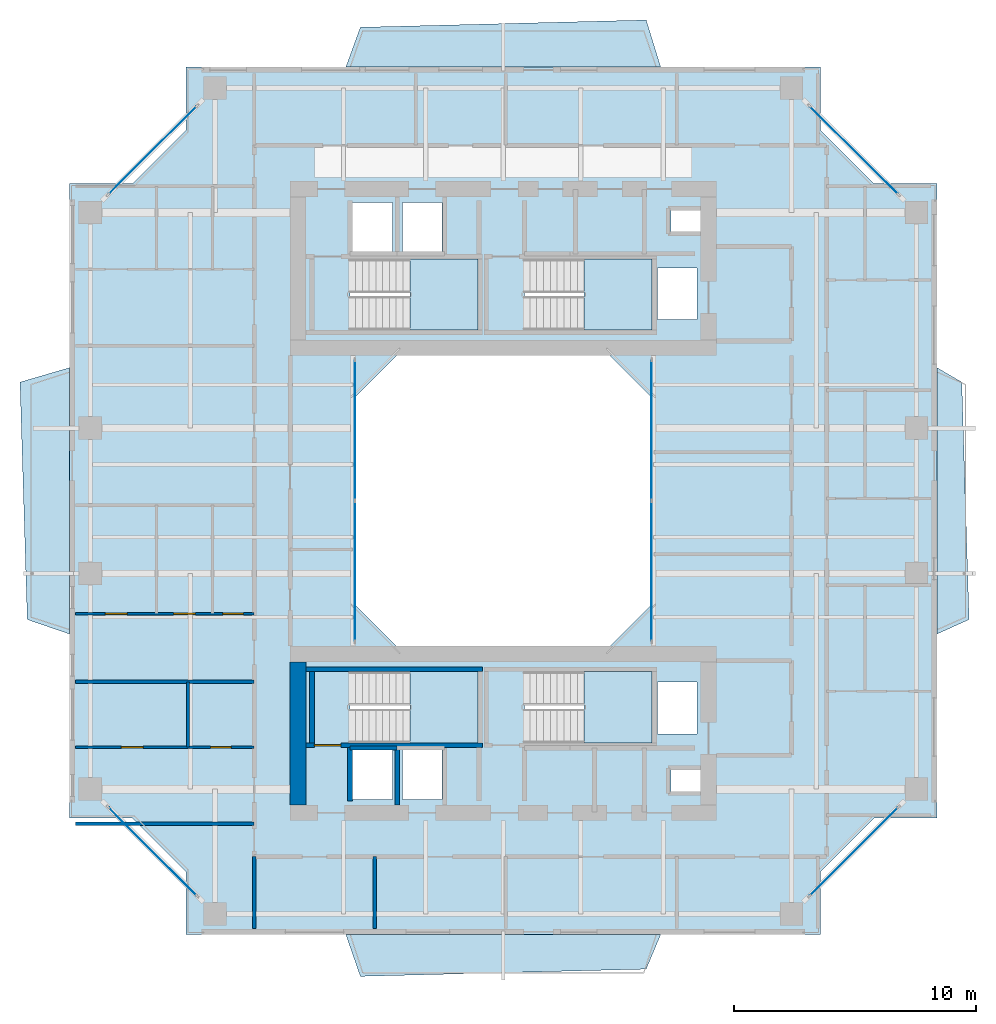
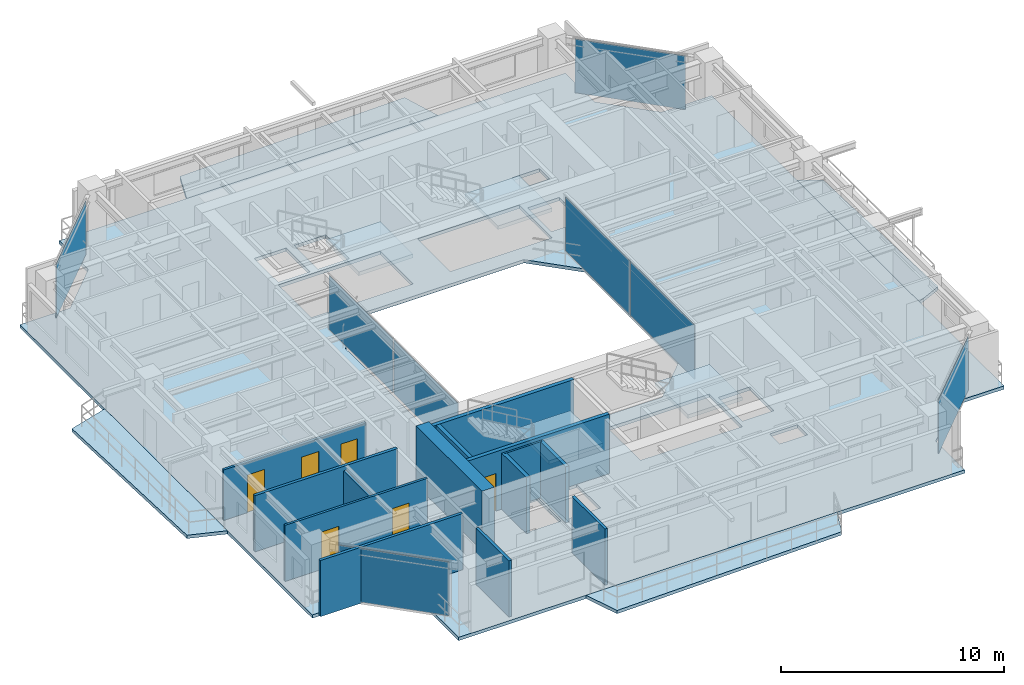
# One storey, part 10 of 18: 14 walls, 9 slabs, 8 plates, 6 doors, 6 openings, 10 elements without a shape of their own.
"""IFC4 building model written with IfcOpenShell, lengths in metres."""

from ifc_helpers import new_model, si_unit, direction, frame, frame_2d, origin, origin_2d, place, context, subcontext, project, spatial, polyline, rectangle, outline, extrude, source, transform, mapped, material, layer, layer_set, type_object, element, fill, aggregate, save


model = new_model("IFC4")

# Units and contexts
model_context = context("Model", 3, precision=1e-05, world=origin(), true_north=direction((0.0, 1.0)))
body_context = subcontext(model_context, "Body", "Model", "MODEL_VIEW")
ifc_project = project(units=[si_unit("LENGTHUNIT", "METRE"), si_unit("AREAUNIT", "SQUARE_METRE"), si_unit("VOLUMEUNIT", "CUBIC_METRE"), si_unit("PLANEANGLEUNIT", "RADIAN"), si_unit("MASSUNIT", "GRAM", prefix="KILO"), si_unit("THERMODYNAMICTEMPERATUREUNIT", "KELVIN"), si_unit("POWERUNIT", "WATT")], contexts=[model_context])

# Site, building, storey
site_placement = place(None, origin())
site = spatial("IfcSite", under=ifc_project, at=site_placement, CompositionType="ELEMENT")
building_placement = place(site_placement, origin())
building = spatial("IfcBuilding", under=site, at=building_placement, Name="Qiaomeng Ring Towers", CompositionType="ELEMENT")
storey_placement = place(building_placement, frame((0.0, 0.0, 179.5)))
storey = spatial("IfcBuildingStorey", under=building, at=storey_placement, Name="L52", CompositionType="ELEMENT", Elevation=179.5)

# Slabs
ifc_material_1 = material(Name="Concrete C40", Category="concrete")
ifc_layer_1 = layer(ifc_material_1, 0.179931640625, Name="Concrete C40")
ifc_layer_set_1 = layer_set([ifc_layer_1], Name="Concrete C40")
slab_type_1 = type_object("IfcSlabType", Name="STR-SL-180", PredefinedType="FLOOR", material=ifc_layer_set_1)
slab_1_placement = place(storey_placement, frame((0.0, 0.0, -0.179931640625)))
element("IfcSlab", 1, at=slab_1_placement, inside=storey, type_object=slab_type_1, Name="L52 Tower 1 Annular Floor Slab", PredefinedType="FLOOR", context=body_context, shape_type="SweptSolid", body=[
    extrude(outline(polyline([(5.89990234375, 5.10009765625), (32.10009765625, 5.10009765625), (32.10009765625, 7.699951171875), (34.300048828125, 9.89990234375), (36.89990234375, 9.89990234375), (36.89990234375, 36.10009765625), (34.300048828125, 36.10009765625), (32.10009765625, 38.300048828125), (32.10009765625, 40.89990234375), (5.89990234375, 40.89990234375), (5.89990234375, 38.300048828125), (3.699951171875, 36.10009765625), (1.10009765625, 36.10009765625), (1.10009765625, 9.89990234375), (3.699951171875, 9.89990234375), (5.89990234375, 7.699951171875), (5.89990234375, 5.10009765625)]), holes=[polyline([(12.780029296875, 10.679931640625), (12.780029296875, 12.820068359375), (14.419921875, 12.820068359375), (14.419921875, 10.679931640625), (12.780029296875, 10.679931640625)]), polyline([(14.830078125, 12.820068359375), (16.469970703125, 12.820068359375), (16.469970703125, 10.679931640625), (14.830078125, 10.679931640625), (14.830078125, 12.820068359375)]), polyline([(12.679931640625, 15.949951171875), (17.949951171875, 15.949951171875), (17.949951171875, 13.010009765625), (12.679931640625, 13.010009765625), (12.679931640625, 15.949951171875)]), polyline([(23.199951171875, 29.199951171875), (25.199951171875, 27.199951171875), (25.199951171875, 18.800048828125), (23.199951171875, 16.800048828125), (14.800048828125, 16.800048828125), (12.800048828125, 18.800048828125), (12.800048828125, 27.199951171875), (14.800048828125, 29.199951171875), (23.199951171875, 29.199951171875)]), polyline([(12.679931640625, 32.989990234375), (17.949951171875, 32.989990234375), (17.949951171875, 30.050048828125), (12.679931640625, 30.050048828125), (12.679931640625, 32.989990234375)]), polyline([(12.780029296875, 35.320068359375), (14.419921875, 35.320068359375), (14.419921875, 33.179931640625), (12.780029296875, 33.179931640625), (12.780029296875, 35.320068359375)]), polyline([(14.830078125, 33.179931640625), (14.830078125, 35.320068359375), (16.469970703125, 35.320068359375), (16.469970703125, 33.179931640625), (14.830078125, 33.179931640625)]), polyline([(25.919921875, 11.89990234375), (27.360107421875, 11.89990234375), (27.360107421875, 11.0), (25.919921875, 11.0), (25.919921875, 11.89990234375)]), polyline([(25.360107421875, 15.52001953125), (27.0, 15.52001953125), (27.0, 13.3798828125), (25.360107421875, 13.3798828125), (25.360107421875, 15.52001953125)]), polyline([(19.8798828125, 15.949951171875), (25.14990234375, 15.949951171875), (25.14990234375, 13.010009765625), (19.8798828125, 13.010009765625), (19.8798828125, 15.949951171875)]), polyline([(19.8798828125, 32.989990234375), (25.14990234375, 32.989990234375), (25.14990234375, 30.050048828125), (19.8798828125, 30.050048828125), (19.8798828125, 32.989990234375)]), polyline([(25.360107421875, 32.6201171875), (27.0, 32.6201171875), (27.0, 30.47998046875), (25.360107421875, 30.47998046875), (25.360107421875, 32.6201171875)]), polyline([(25.919921875, 35.0), (27.360107421875, 35.0), (27.360107421875, 34.10009765625), (25.919921875, 34.10009765625), (25.919921875, 35.0)])]), origin(), (0.0, 0.0, 1.0), 0.179931640625),
])
ifc_layer_2 = layer(ifc_material_1, 0.179931640625, Name="Concrete C40")
ifc_layer_set_2 = layer_set([ifc_layer_2], Name="Concrete C40")
slab_type_2 = type_object("IfcSlabType", Name="STR-SL-BAL", PredefinedType="FLOOR", material=ifc_layer_set_2)
slab_2_placement = place(storey_placement, frame((0.0, 0.0, -0.179931640625)))
element("IfcSlab", 2, at=slab_2_placement, inside=storey, type_object=slab_type_2, Name="L52 Tower 1 S Faceted Balcony Slab", PredefinedType="FLOOR", context=body_context, shape_type="SweptSolid", body=[
    extrude(outline(polyline([(24.89990234375, 3.669921875), (13.10009765625, 3.3701171875), (12.5, 5.10009765625), (25.5, 5.10009765625), (24.89990234375, 3.669921875)])), origin(), (0.0, 0.0, 1.0), 0.179931640625),
])
slab_3_placement = place(storey_placement, frame((0.0, 0.0, -0.179931640625)))
element("IfcSlab", 3, at=slab_3_placement, inside=storey, type_object=slab_type_2, Name="L52 Tower 1 E Faceted Balcony Slab", PredefinedType="FLOOR", context=body_context, shape_type="SweptSolid", body=[
    extrude(outline(polyline([(37.929931640625, 27.89990234375), (38.22998046875, 18.10009765625), (36.89990234375, 17.5), (36.89990234375, 28.5), (37.929931640625, 27.89990234375)])), origin(), (0.0, 0.0, 1.0), 0.179931640625),
])
slab_4_placement = place(storey_placement, frame((0.0, 0.0, -0.179931640625)))
element("IfcSlab", 4, at=slab_4_placement, inside=storey, type_object=slab_type_2, Name="L52 Tower 1 N Faceted Balcony Slab", PredefinedType="FLOOR", context=body_context, shape_type="SweptSolid", body=[
    extrude(outline(polyline([(12.5, 40.89990234375), (13.10009765625, 42.550048828125), (24.89990234375, 42.85009765625), (25.5, 40.89990234375), (12.5, 40.89990234375)])), origin(), (0.0, 0.0, 1.0), 0.179931640625),
])
slab_5_placement = place(storey_placement, frame((0.0, 0.0, -0.179931640625)))
element("IfcSlab", 5, at=slab_5_placement, inside=storey, type_object=slab_type_2, Name="L52 Tower 1 W Faceted Balcony Slab", PredefinedType="FLOOR", context=body_context, shape_type="SweptSolid", body=[
    extrude(outline(polyline([(-0.64990234375, 18.10009765625), (-0.949951171875, 27.89990234375), (1.10009765625, 28.5), (1.10009765625, 17.5), (-0.64990234375, 18.10009765625)])), origin(), (0.0, 0.0, 1.0), 0.179931640625),
])

# Stair, slab
ifc_material_2 = material(Name="Precast concrete C40", Category="concrete")
stair_type = type_object("IfcStairType", Name="ARC-ST-325", PredefinedType="HALF_TURN_STAIR", material=ifc_material_2)
stair_1_placement = place(storey_placement, origin())
stair_1 = element("IfcStair", 6, at=stair_1_placement, inside=storey, type_object=stair_type, Name="L52 Tower 1 North Stair 1", PredefinedType="HALF_TURN_STAIR")
ifc_layer_3 = layer(ifc_material_1, 0.199951171875, Name="Concrete C40")
ifc_layer_set_3 = layer_set([ifc_layer_3], Name="Concrete C40")
slab_type_3 = type_object("IfcSlabType", Name="STR-SL-LANDING", PredefinedType="LANDING", material=ifc_layer_set_3)
slab_6_placement = place(storey_placement, frame((0.0, 0.0, 1.425048828125)))
slab_6 = element("IfcSlab", 7, at=slab_6_placement, type_object=slab_type_3, Name="ST1 landing 1", PredefinedType="LANDING", context=body_context, shape_type="SweptSolid", body=[
    extrude(outline(polyline([(15.139892578125, 30.050048828125), (17.949951171875, 30.050048828125), (17.949951171875, 32.989990234375), (15.139892578125, 32.989990234375), (15.139892578125, 30.050048828125)])), origin(), (0.0, 0.0, 1.0), 0.199951171875),
])
aggregate(stair_1, [slab_6])

stair_2_placement = place(storey_placement, origin())
stair_2 = element("IfcStair", 8, at=stair_2_placement, inside=storey, type_object=stair_type, Name="L52 Tower 1 North Stair 2", PredefinedType="HALF_TURN_STAIR")
slab_7_placement = place(storey_placement, frame((0.0, 0.0, 1.425048828125)))
slab_7 = element("IfcSlab", 9, at=slab_7_placement, type_object=slab_type_3, Name="ST2 landing 1", PredefinedType="LANDING", context=body_context, shape_type="SweptSolid", body=[
    extrude(outline(polyline([(22.340087890625, 30.050048828125), (25.14990234375, 30.050048828125), (25.14990234375, 32.989990234375), (22.340087890625, 32.989990234375), (22.340087890625, 30.050048828125)])), origin(), (0.0, 0.0, 1.0), 0.199951171875),
])
aggregate(stair_2, [slab_7])

stair_3_placement = place(storey_placement, origin())
stair_3 = element("IfcStair", 10, at=stair_3_placement, inside=storey, type_object=stair_type, Name="L52 Tower 1 South Stair 3", PredefinedType="HALF_TURN_STAIR")
slab_8_placement = place(storey_placement, frame((0.0, 0.0, 1.425048828125)))
slab_8 = element("IfcSlab", 11, at=slab_8_placement, type_object=slab_type_3, Name="ST3 landing 1", PredefinedType="LANDING", context=body_context, shape_type="SweptSolid", body=[
    extrude(outline(polyline([(15.139892578125, 13.010009765625), (17.949951171875, 13.010009765625), (17.949951171875, 15.949951171875), (15.139892578125, 15.949951171875), (15.139892578125, 13.010009765625)])), origin(), (0.0, 0.0, 1.0), 0.199951171875),
])
aggregate(stair_3, [slab_8])

stair_4_placement = place(storey_placement, origin())
stair_4 = element("IfcStair", 12, at=stair_4_placement, inside=storey, type_object=stair_type, Name="L52 Tower 1 South Stair 4", PredefinedType="HALF_TURN_STAIR")
slab_9_placement = place(storey_placement, frame((0.0, 0.0, 1.425048828125)))
slab_9 = element("IfcSlab", 13, at=slab_9_placement, type_object=slab_type_3, Name="ST4 landing 1", PredefinedType="LANDING", context=body_context, shape_type="SweptSolid", body=[
    extrude(outline(polyline([(22.340087890625, 13.010009765625), (25.14990234375, 13.010009765625), (25.14990234375, 15.949951171875), (22.340087890625, 15.949951171875), (22.340087890625, 13.010009765625)])), origin(), (0.0, 0.0, 1.0), 0.199951171875),
])
aggregate(stair_4, [slab_9])

# Curtain wall, plates
ifc_material_3 = material(Name="Fluorocarbon dark-grey aluminium", Category="aluminium")
ifc_layer_4 = layer(ifc_material_3, 0.139892578125, Name="Fluorocarbon dark-grey aluminium")
ifc_layer_set_4 = layer_set([ifc_layer_4], Name="Fluorocarbon dark-grey aluminium")
curtain_wall_type_1 = type_object("IfcCurtainWallType", Name="ARC-CW-4", PredefinedType="NOTDEFINED", material=ifc_layer_set_4)
curtain_wall_1_placement = place(storey_placement, origin())
curtain_wall_1 = element("IfcCurtainWall", 14, at=curtain_wall_1_placement, inside=storey, type_object=curtain_wall_type_1, Name="L52 Curtain Wall CW4", PredefinedType="NOTDEFINED")
ifc_material_4 = material(Name="Low-E dark-grey laminated double glazing", Category="glass")
ifc_layer_5 = layer(ifc_material_4, 0.028076171875, Name="Low-E dark-grey laminated double glazing")
ifc_layer_set_5 = layer_set([ifc_layer_5], Name="Low-E dark-grey laminated double glazing")
plate_type = type_object("IfcPlateType", Name="ARC-CWP-DARK", PredefinedType="CURTAIN_PANEL", material=ifc_layer_set_5)
shared_shape_1 = source(origin(), body_context, "Body", "SweptSolid", [
    extrude(rectangle(XDim=5.75244140625, YDim=0.028076171875, at=origin_2d()), origin(), (0.0, 0.0, 1.0), 2.93994140625),
])
plate_1_placement = place(storey_placement, frame((12.8798828125, 20.09130859375, 0.06494140625), z_axis=(0.0, 0.0, 1.0), x_axis=(0.0, 1.0, 0.0)))
plate_1 = element("IfcPlate", 15, at=plate_1_placement, type_object=plate_type, Name="CW4 panel 1.1", PredefinedType="CURTAIN_PANEL", context=body_context, shape_type="MappedRepresentation", body=[
    mapped(shared_shape_1, transform((0.0, 0.0, 0.0), x_axis=(1.0, 0.0, 0.0), y_axis=(0.0, 1.0, 0.0), z_axis=(0.0, 0.0, 1.0), scale=1.0)),
])
plate_2_placement = place(storey_placement, frame((12.8798828125, 25.90869140625, 0.06494140625), z_axis=(0.0, 0.0, 1.0), x_axis=(0.0, 1.0, 0.0)))
plate_2 = element("IfcPlate", 16, at=plate_2_placement, type_object=plate_type, Name="CW4 panel 2.1", PredefinedType="CURTAIN_PANEL", context=body_context, shape_type="MappedRepresentation", body=[
    mapped(shared_shape_1, transform((0.0, 0.0, 0.0), x_axis=(1.0, 0.0, 0.0), y_axis=(0.0, 1.0, 0.0), z_axis=(0.0, 0.0, 1.0), scale=1.0)),
])
aggregate(curtain_wall_1, [plate_1, plate_2])

curtain_wall_2_placement = place(storey_placement, origin())
curtain_wall_2 = element("IfcCurtainWall", 17, at=curtain_wall_2_placement, inside=storey, type_object=curtain_wall_type_1, Name="L52 Curtain Wall CW4", PredefinedType="NOTDEFINED")
plate_3_placement = place(storey_placement, frame((25.1201171875, 20.09130859375, 0.06494140625), z_axis=(0.0, 0.0, 1.0), x_axis=(0.0, 1.0, 0.0)))
plate_3 = element("IfcPlate", 18, at=plate_3_placement, type_object=plate_type, Name="CW4 panel 1.1", PredefinedType="CURTAIN_PANEL", context=body_context, shape_type="MappedRepresentation", body=[
    mapped(shared_shape_1, transform((0.0, 0.0, 0.0), x_axis=(1.0, 0.0, 0.0), y_axis=(0.0, 1.0, 0.0), z_axis=(0.0, 0.0, 1.0), scale=1.0)),
])
plate_4_placement = place(storey_placement, frame((25.1201171875, 25.90869140625, 0.06494140625), z_axis=(0.0, 0.0, 1.0), x_axis=(0.0, 1.0, 0.0)))
plate_4 = element("IfcPlate", 19, at=plate_4_placement, type_object=plate_type, Name="CW4 panel 2.1", PredefinedType="CURTAIN_PANEL", context=body_context, shape_type="MappedRepresentation", body=[
    mapped(shared_shape_1, transform((0.0, 0.0, 0.0), x_axis=(1.0, 0.0, 0.0), y_axis=(0.0, 1.0, 0.0), z_axis=(0.0, 0.0, 1.0), scale=1.0)),
])
aggregate(curtain_wall_2, [plate_3, plate_4])

# Curtain wall, plate
ifc_layer_6 = layer(ifc_material_3, 0.14990234375, Name="Fluorocarbon dark-grey aluminium")
ifc_layer_set_6 = layer_set([ifc_layer_6], Name="Fluorocarbon dark-grey aluminium")
curtain_wall_type_2 = type_object("IfcCurtainWallType", Name="ARC-CW-3", PredefinedType="NOTDEFINED", material=ifc_layer_set_6)
curtain_wall_3_placement = place(storey_placement, origin())
curtain_wall_3 = element("IfcCurtainWall", 20, at=curtain_wall_3_placement, inside=storey, type_object=curtain_wall_type_2, Name="L52 Curtain Wall CW3", PredefinedType="NOTDEFINED")
shared_shape_2 = source(origin(), body_context, "Body", "SweptSolid", [
    extrude(rectangle(XDim=5.120849609375, YDim=0.028076171875, at=origin_2d()), origin(), (0.0, 0.0, 1.0), 2.93994140625),
])
plate_5_placement = place(storey_placement, frame((33.47509765625, 8.52490234375, 0.06494140625), z_axis=(0.0, 0.0, 1.0), x_axis=(0.707106781187, 0.707106781187, 0.0)))
plate_5 = element("IfcPlate", 21, at=plate_5_placement, type_object=plate_type, Name="CW3 panel 1.1", PredefinedType="CURTAIN_PANEL", context=body_context, shape_type="MappedRepresentation", body=[
    mapped(shared_shape_2, transform((0.0, 0.0, 0.0), x_axis=(1.0, 0.0, 0.0), y_axis=(0.0, 1.0, 0.0), z_axis=(0.0, 0.0, 1.0), scale=1.0)),
])
aggregate(curtain_wall_3, [plate_5])

curtain_wall_4_placement = place(storey_placement, origin())
curtain_wall_4 = element("IfcCurtainWall", 22, at=curtain_wall_4_placement, inside=storey, type_object=curtain_wall_type_2, Name="L52 Curtain Wall CW3", PredefinedType="NOTDEFINED")
plate_6_placement = place(storey_placement, frame((33.47509765625, 37.47509765625, 0.06494140625), z_axis=(0.0, 0.0, 1.0), x_axis=(-0.707106781187, 0.707106781187, 0.0)))
plate_6 = element("IfcPlate", 23, at=plate_6_placement, type_object=plate_type, Name="CW3 panel 1.1", PredefinedType="CURTAIN_PANEL", context=body_context, shape_type="MappedRepresentation", body=[
    mapped(shared_shape_2, transform((0.0, 0.0, 0.0), x_axis=(1.0, 0.0, 0.0), y_axis=(0.0, 1.0, 0.0), z_axis=(0.0, 0.0, 1.0), scale=1.0)),
])
aggregate(curtain_wall_4, [plate_6])

curtain_wall_5_placement = place(storey_placement, origin())
curtain_wall_5 = element("IfcCurtainWall", 24, at=curtain_wall_5_placement, inside=storey, type_object=curtain_wall_type_2, Name="L52 Curtain Wall CW3", PredefinedType="NOTDEFINED")
plate_7_placement = place(storey_placement, frame((4.52490234375, 37.47509765625, 0.06494140625), z_axis=(0.0, 0.0, 1.0), x_axis=(-0.707106781187, -0.707106781187, 0.0)))
plate_7 = element("IfcPlate", 25, at=plate_7_placement, type_object=plate_type, Name="CW3 panel 1.1", PredefinedType="CURTAIN_PANEL", context=body_context, shape_type="MappedRepresentation", body=[
    mapped(shared_shape_2, transform((0.0, 0.0, 0.0), x_axis=(1.0, 0.0, 0.0), y_axis=(0.0, 1.0, 0.0), z_axis=(0.0, 0.0, 1.0), scale=1.0)),
])
aggregate(curtain_wall_5, [plate_7])

curtain_wall_6_placement = place(storey_placement, origin())
curtain_wall_6 = element("IfcCurtainWall", 26, at=curtain_wall_6_placement, inside=storey, type_object=curtain_wall_type_2, Name="L52 Curtain Wall CW3", PredefinedType="NOTDEFINED")
plate_8_placement = place(storey_placement, frame((4.52490234375, 8.52490234375, 0.06494140625), z_axis=(0.0, 0.0, 1.0), x_axis=(0.707106781187, -0.707106781187, 0.0)))
plate_8 = element("IfcPlate", 27, at=plate_8_placement, type_object=plate_type, Name="CW3 panel 1.1", PredefinedType="CURTAIN_PANEL", context=body_context, shape_type="MappedRepresentation", body=[
    mapped(shared_shape_2, transform((0.0, 0.0, 0.0), x_axis=(1.0, 0.0, 0.0), y_axis=(0.0, 1.0, 0.0), z_axis=(0.0, 0.0, 1.0), scale=1.0)),
])
aggregate(curtain_wall_6, [plate_8])

# Walls
ifc_material_5 = material(Name="Autoclaved aerated concrete block", Category="concrete")
ifc_layer_7 = layer(ifc_material_5, 0.199951171875, Name="Autoclaved aerated concrete block")
ifc_layer_set_7 = layer_set([ifc_layer_7], Name="Autoclaved aerated concrete block")
wall_type_1 = type_object("IfcWallType", Name="ARC-WL-PW1", PredefinedType="PARTITIONING", material=ifc_layer_set_7)
wall_1_placement = place(storey_placement, frame((12.679931640625, 10.60009765625, 0.0), z_axis=(0.0, 0.0, 1.0), x_axis=(0.0, 1.0, 0.0)))
element("IfcWall", 28, at=wall_1_placement, inside=storey, type_object=wall_type_1, Name="L52 Interior Wall PW1", PredefinedType="PARTITIONING", context=body_context, shape_type="SweptSolid", body=[
    extrude(rectangle(XDim=2.2099609375, YDim=0.199951171875, at=frame_2d((1.10498046875, 0.0))), origin(), (0.0, 0.0, 1.0), 3.070068359375),
])
ifc_material_6 = material(Name="Gypsum fireboard steel-stud partition", Category="steel")
ifc_layer_8 = layer(ifc_material_6, 0.14990234375, Name="Gypsum fireboard steel-stud partition")
ifc_layer_set_8 = layer_set([ifc_layer_8], Name="Gypsum fireboard steel-stud partition")
wall_type_2 = type_object("IfcWallType", Name="ARC-WL-PW3", PredefinedType="PARTITIONING", material=ifc_layer_set_8)
for number, where, z_axis, x_axis, name in (
    (29, (13.68994140625, 5.35009765625, 0.0), (0.0, 0.0, 1.0), (0.0, 1.0, 0.0), "L52 Interior Wall PW3"),
    (30, (8.719970703125, 5.35009765625, 0.0), (0.0, 0.0, 1.0), (0.0, 1.0, 0.0), "L52 Interior Wall PW3"),
):
    element("IfcWall", number, at=place(storey_placement, frame(where, z_axis=z_axis, x_axis=x_axis)), inside=storey, type_object=wall_type_2, Name=name, PredefinedType="PARTITIONING", context=body_context, shape_type="SweptSolid", body=[
        extrude(rectangle(XDim=2.9599609375, YDim=0.14990234375, at=frame_2d((1.47998046875, 0.0))), origin(), (0.0, 0.0, 1.0), 3.070068359375),
    ])
for number, where, z_axis, x_axis, name in (
    (31, (1.35009765625, 9.669921875, 0.0), (0.0, 0.0, 1.0), (1.0, 0.0, 0.0), "L52 Interior Wall PW3"),
    (32, (1.35009765625, 15.530029296875, 0.0), (0.0, 0.0, 1.0), (1.0, 0.0, 0.0), "L52 Interior Wall PW3"),
):
    element("IfcWall", number, at=place(storey_placement, frame(where, z_axis=z_axis, x_axis=x_axis)), inside=storey, type_object=wall_type_2, Name=name, PredefinedType="PARTITIONING", context=body_context, shape_type="SweptSolid", body=[
        extrude(rectangle(XDim=7.369873046875, YDim=0.14990234375, at=frame_2d((3.68505859375, 0.0))), origin(), (0.0, 0.0, 1.0), 3.070068359375),
    ])

# Wall, openings, doors
ifc_material_7 = material(Name="Moisture-resistant gypsum steel-stud partition", Category="steel")
ifc_layer_9 = layer(ifc_material_7, 0.1201171875, Name="Moisture-resistant gypsum steel-stud partition")
ifc_layer_set_9 = layer_set([ifc_layer_9], Name="Moisture-resistant gypsum steel-stud partition")
wall_type_3 = type_object("IfcWallType", Name="ARC-WL-PW4", PredefinedType="PLUMBINGWALL", material=ifc_layer_set_9)
wall_2_placement = place(storey_placement, frame((1.35009765625, 12.830078125, 0.0), z_axis=(0.0, 0.0, 1.0), x_axis=(1.0, 0.0, 0.0)))
wall_2 = element("IfcWall", 33, at=wall_2_placement, inside=storey, type_object=wall_type_3, Name="L52 Interior Wall PW4", PredefinedType="PLUMBINGWALL", context=body_context, shape_type="SweptSolid", body=[
    extrude(rectangle(XDim=7.369873046875, YDim=0.1201171875, at=frame_2d((3.68505859375, 0.0))), origin(), (0.0, 0.0, 1.0), 3.070068359375),
])
opening_1_placement = place(wall_2_placement, frame((1.8798828125, 0.0, 0.0)))
opening_1 = element("IfcOpeningElement", 34, at=opening_1_placement, cuts=wall_2, Name="Opening ID1", PredefinedType="OPENING", context=body_context, shape_type="SweptSolid", body=[
    extrude(rectangle(XDim=0.89990234375, YDim=2.050048828125, at=frame_2d((0.449951171875, 1.02490234375))), frame((0.0, 0.070068359375, 0.0), z_axis=(0.0, -1.0, 0.0), x_axis=(1.0, 0.0, 0.0)), (0.0, 0.0, 1.0), 0.14013671875),
])
opening_2_placement = place(wall_2_placement, frame((5.570068359375, 0.0, 0.0)))
opening_2 = element("IfcOpeningElement", 35, at=opening_2_placement, cuts=wall_2, Name="Opening ID2", PredefinedType="OPENING", context=body_context, shape_type="SweptSolid", body=[
    extrude(rectangle(XDim=0.85009765625, YDim=2.050048828125, at=frame_2d((0.425048828125, 1.02490234375))), frame((0.0, 0.070068359375, 0.0), z_axis=(0.0, -1.0, 0.0), x_axis=(1.0, 0.0, 0.0)), (0.0, 0.0, 1.0), 0.14013671875),
])
ifc_material_8 = material(Name="Moisture-resistant engineered timber", Category="wood")
door_type_1 = type_object("IfcDoorType", Name="ARC-DR-ID2", OperationType="NOTDEFINED", PredefinedType="DOOR", material=ifc_material_8)
shared_shape_3 = source(origin(), body_context, "Body", "SweptSolid", [
    extrude(rectangle(XDim=0.85009765625, YDim=2.050048828125, at=frame_2d((0.425048828125, 1.02490234375))), frame((0.0, 0.02490234375, 0.0), z_axis=(0.0, -1.0, 0.0), x_axis=(1.0, 0.0, 0.0)), (0.0, 0.0, 1.0), 0.050048828125),
])
door_1_placement = place(opening_2_placement, origin())
door_1 = element("IfcDoor", 36, at=door_1_placement, inside=storey, type_object=door_type_1, Name="L52 Door ID2", OperationType="SINGLE_SWING_RIGHT", OverallHeight=2.050048828125, OverallWidth=0.85009765625, PredefinedType="DOOR", context=body_context, shape_type="MappedRepresentation", body=[
    mapped(shared_shape_3, transform((0.0, 0.0, 0.0), x_axis=(1.0, 0.0, 0.0), y_axis=(0.0, 1.0, 0.0), z_axis=(0.0, 0.0, 1.0), scale=1.0)),
])
fill(opening_2, door_1)
ifc_material_9 = material(Name="Engineered oak timber", Category="wood")
door_type_2 = type_object("IfcDoorType", Name="ARC-DR-ID1", OperationType="NOTDEFINED", PredefinedType="DOOR", material=ifc_material_9)
shared_shape_4 = source(origin(), body_context, "Body", "SweptSolid", [
    extrude(rectangle(XDim=0.89990234375, YDim=2.050048828125, at=frame_2d((0.449951171875, 1.02490234375))), frame((0.0, 0.02490234375, 0.0), z_axis=(0.0, -1.0, 0.0), x_axis=(1.0, 0.0, 0.0)), (0.0, 0.0, 1.0), 0.050048828125),
])
door_2_placement = place(opening_1_placement, origin())
door_2 = element("IfcDoor", 37, at=door_2_placement, inside=storey, type_object=door_type_2, Name="L52 Door ID1", OperationType="SINGLE_SWING_LEFT", OverallHeight=2.050048828125, OverallWidth=0.89990234375, PredefinedType="DOOR", context=body_context, shape_type="MappedRepresentation", body=[
    mapped(shared_shape_4, transform((0.0, 0.0, 0.0), x_axis=(1.0, 0.0, 0.0), y_axis=(0.0, 1.0, 0.0), z_axis=(0.0, 0.0, 1.0), scale=1.0)),
])
fill(opening_1, door_2)

# Wall
wall_3_placement = place(storey_placement, frame((5.989990234375, 12.830078125, 0.0), z_axis=(0.0, 0.0, 1.0), x_axis=(0.0, 1.0, 0.0)))
element("IfcWall", 38, at=wall_3_placement, inside=storey, type_object=wall_type_3, Name="L52 Interior Wall PW4", PredefinedType="PLUMBINGWALL", context=body_context, shape_type="SweptSolid", body=[
    extrude(rectangle(XDim=2.699951171875, YDim=0.1201171875, at=frame_2d((1.35009765625, 0.0))), origin(), (0.0, 0.0, 1.0), 2.821044921875),
])

# Wall, openings, doors
wall_4_placement = place(storey_placement, frame((1.35009765625, 18.340087890625, 0.0), z_axis=(0.0, 0.0, 1.0), x_axis=(1.0, 0.0, 0.0)))
wall_4 = element("IfcWall", 39, at=wall_4_placement, inside=storey, type_object=wall_type_3, Name="L52 Interior Wall PW4", PredefinedType="PLUMBINGWALL", context=body_context, shape_type="SweptSolid", body=[
    extrude(rectangle(XDim=7.369873046875, YDim=0.1201171875, at=frame_2d((3.68505859375, 0.0))), origin(), (0.0, 0.0, 1.0), 2.764892578125),
])
opening_3_placement = place(wall_4_placement, frame((1.22509765625, 0.0, 0.0)))
opening_3 = element("IfcOpeningElement", 40, at=opening_3_placement, cuts=wall_4, Name="Opening ID1", PredefinedType="OPENING", context=body_context, shape_type="SweptSolid", body=[
    extrude(rectangle(XDim=0.89990234375, YDim=2.050048828125, at=frame_2d((0.449951171875, 1.02490234375))), frame((0.0, 0.070068359375, 0.0), z_axis=(0.0, -1.0, 0.0), x_axis=(1.0, 0.0, 0.0)), (0.0, 0.0, 1.0), 0.14013671875),
])
opening_4_placement = place(wall_4_placement, frame((4.0400390625, 0.0, 0.0)))
opening_4 = element("IfcOpeningElement", 41, at=opening_4_placement, cuts=wall_4, Name="Opening ID1", PredefinedType="OPENING", context=body_context, shape_type="SweptSolid", body=[
    extrude(rectangle(XDim=0.89990234375, YDim=2.050048828125, at=frame_2d((0.449951171875, 1.02490234375))), frame((0.0, 0.070068359375, 0.0), z_axis=(0.0, -1.0, 0.0), x_axis=(1.0, 0.0, 0.0)), (0.0, 0.0, 1.0), 0.14013671875),
])
opening_5_placement = place(wall_4_placement, frame((6.074951171875, 0.0, 0.0)))
opening_5 = element("IfcOpeningElement", 42, at=opening_5_placement, cuts=wall_4, Name="Opening ID2", PredefinedType="OPENING", context=body_context, shape_type="SweptSolid", body=[
    extrude(rectangle(XDim=0.85009765625, YDim=2.050048828125, at=frame_2d((0.425048828125, 1.02490234375))), frame((0.0, 0.070068359375, 0.0), z_axis=(0.0, -1.0, 0.0), x_axis=(1.0, 0.0, 0.0)), (0.0, 0.0, 1.0), 0.14013671875),
])
door_3_placement = place(opening_5_placement, origin())
door_3 = element("IfcDoor", 43, at=door_3_placement, inside=storey, type_object=door_type_1, Name="L52 Door ID2", OperationType="SINGLE_SWING_RIGHT", OverallHeight=2.050048828125, OverallWidth=0.85009765625, PredefinedType="DOOR", context=body_context, shape_type="MappedRepresentation", body=[
    mapped(shared_shape_3, transform((0.0, 0.0, 0.0), x_axis=(1.0, 0.0, 0.0), y_axis=(0.0, 1.0, 0.0), z_axis=(0.0, 0.0, 1.0), scale=1.0)),
])
fill(opening_5, door_3)
door_4_placement = place(opening_3_placement, origin())
door_4 = element("IfcDoor", 44, at=door_4_placement, inside=storey, type_object=door_type_2, Name="L52 Door ID1", OperationType="SINGLE_SWING_RIGHT", OverallHeight=2.050048828125, OverallWidth=0.89990234375, PredefinedType="DOOR", context=body_context, shape_type="MappedRepresentation", body=[
    mapped(shared_shape_4, transform((0.0, 0.0, 0.0), x_axis=(1.0, 0.0, 0.0), y_axis=(0.0, 1.0, 0.0), z_axis=(0.0, 0.0, 1.0), scale=1.0)),
])
fill(opening_3, door_4)
door_5_placement = place(opening_4_placement, origin())
door_5 = element("IfcDoor", 45, at=door_5_placement, inside=storey, type_object=door_type_2, Name="L52 Door ID1", OperationType="SINGLE_SWING_LEFT", OverallHeight=2.050048828125, OverallWidth=0.89990234375, PredefinedType="DOOR", context=body_context, shape_type="MappedRepresentation", body=[
    mapped(shared_shape_4, transform((0.0, 0.0, 0.0), x_axis=(1.0, 0.0, 0.0), y_axis=(0.0, 1.0, 0.0), z_axis=(0.0, 0.0, 1.0), scale=1.0)),
])
fill(opening_4, door_5)

# Walls
ifc_layer_10 = layer(ifc_material_1, 0.199951171875, Name="Concrete C40")
ifc_layer_set_10 = layer_set([ifc_layer_10], Name="Concrete C40")
wall_type_4 = type_object("IfcWallType", Name="STR-WL-STSHAFT", PredefinedType="SHEAR", material=ifc_layer_set_10)
wall_5_placement = place(storey_placement, frame((12.679931640625, 12.800048828125, 0.0), z_axis=(0.0, 0.0, 1.0), x_axis=(1.0, 0.0, 0.0)))
element("IfcWall", 46, at=wall_5_placement, inside=storey, type_object=wall_type_4, Name="L52 Lift LP6 Shaft Back Wall", PredefinedType="SHEAR", context=body_context, shape_type="SweptSolid", body=[
    extrude(rectangle(XDim=1.940185546875, YDim=0.179931640625, at=frame_2d((0.97021484375, 0.0))), origin(), (0.0, 0.0, 1.0), 3.070068359375),
])
wall_6_placement = place(storey_placement, frame((14.6201171875, 10.449951171875, 0.0), z_axis=(0.0, 0.0, 1.0), x_axis=(0.0, 1.0, 0.0)))
element("IfcWall", 47, at=wall_6_placement, inside=storey, type_object=wall_type_4, Name="L52 Lift LP6-LP4 Shaft Divider Wall", PredefinedType="SHEAR", context=body_context, shape_type="SweptSolid", body=[
    extrude(rectangle(XDim=2.35009765625, YDim=0.179931640625, at=frame_2d((1.175048828125, 0.0))), origin(), (0.0, 0.0, 1.0), 3.070068359375),
])

# Wall, opening, door
wall_7_placement = place(storey_placement, frame((10.85009765625, 12.909912109375, 0.0), z_axis=(0.0, 0.0, 1.0), x_axis=(1.0, 0.0, 0.0)))
wall_7 = element("IfcWall", 48, at=wall_7_placement, inside=storey, type_object=wall_type_4, Name="L52 Stair ST3 South Shaft Shear Wall", PredefinedType="SHEAR", context=body_context, shape_type="SweptSolid", body=[
    extrude(rectangle(XDim=7.2998046875, YDim=0.199951171875, at=frame_2d((3.64990234375, 0.0))), origin(), (0.0, 0.0, 1.0), 3.25),
])
opening_6_placement = place(wall_7_placement, frame((0.35009765625, 0.0, 0.0)))
opening_6 = element("IfcOpeningElement", 49, at=opening_6_placement, cuts=wall_7, Name="Opening FD3", PredefinedType="OPENING", context=body_context, shape_type="SweptSolid", body=[
    extrude(rectangle(XDim=1.10009765625, YDim=2.050048828125, at=frame_2d((0.550048828125, 1.02490234375))), frame((0.0, 0.10986328125, 0.0), z_axis=(0.0, -1.0, 0.0), x_axis=(1.0, 0.0, 0.0)), (0.0, 0.0, 1.0), 0.219970703125),
])
ifc_material_10 = material(Name="Galvanised steel", Category="steel")
door_type_3 = type_object("IfcDoorType", Name="ARC-DR-FD3", OperationType="NOTDEFINED", PredefinedType="DOOR", material=ifc_material_10)
shared_shape_5 = source(origin(), body_context, "Body", "SweptSolid", [
    extrude(rectangle(XDim=1.10009765625, YDim=2.050048828125, at=frame_2d((0.550048828125, 1.02490234375))), frame((0.0, 0.02490234375, 0.0), z_axis=(0.0, -1.0, 0.0), x_axis=(1.0, 0.0, 0.0)), (0.0, 0.0, 1.0), 0.050048828125),
])
door_6_placement = place(opening_6_placement, frame((1.10009765625, 0.0, 0.0), z_axis=(0.0, 0.0, 1.0), x_axis=(-1.0, 0.0, 0.0)))
door_6 = element("IfcDoor", 50, at=door_6_placement, inside=storey, type_object=door_type_3, Name="L52 Stair ST3 Exit Door", OperationType="SINGLE_SWING_RIGHT", OverallHeight=2.050048828125, OverallWidth=1.10009765625, PredefinedType="DOOR", context=body_context, shape_type="MappedRepresentation", body=[
    mapped(shared_shape_5, transform((0.0, 0.0, 0.0), x_axis=(1.0, 0.0, 0.0), y_axis=(0.0, 1.0, 0.0), z_axis=(0.0, 0.0, 1.0), scale=1.0)),
])
fill(opening_6, door_6)

# Walls
wall_8_placement = place(storey_placement, frame((10.85009765625, 16.050048828125, 0.0), z_axis=(0.0, 0.0, 1.0), x_axis=(1.0, 0.0, 0.0)))
element("IfcWall", 51, at=wall_8_placement, inside=storey, type_object=wall_type_4, Name="L52 Stair ST3 North Shaft Shear Wall", PredefinedType="SHEAR", context=body_context, shape_type="SweptSolid", body=[
    extrude(rectangle(XDim=7.2998046875, YDim=0.199951171875, at=frame_2d((3.64990234375, 0.0))), origin(), (0.0, 0.0, 1.0), 3.25),
])
wall_9_placement = place(storey_placement, frame((11.10009765625, 13.010009765625, 0.0), z_axis=(0.0, 0.0, 1.0), x_axis=(0.0, 1.0, 0.0)))
element("IfcWall", 52, at=wall_9_placement, inside=storey, type_object=wall_type_4, Name="L52 Stair ST3 West Shaft Shear Wall", PredefinedType="SHEAR", context=body_context, shape_type="SweptSolid", body=[
    extrude(rectangle(XDim=2.93994140625, YDim=0.199951171875, at=frame_2d((1.469970703125, 0.0))), origin(), (0.0, 0.0, 1.0), 3.25),
])
ifc_material_11 = material(Name="Concrete C50", Category="concrete")
ifc_layer_11 = layer(ifc_material_11, 0.64990234375, Name="Concrete C50")
ifc_layer_set_11 = layer_set([ifc_layer_11], Name="Concrete C50")
wall_type_5 = type_object("IfcWallType", Name="STR-WL-SW2B", PredefinedType="SHEAR", material=ifc_layer_set_11)
wall_10_placement = place(storey_placement, frame((10.52490234375, 10.449951171875, 0.0), z_axis=(0.0, 0.0, 1.0), x_axis=(0.0, 1.0, 0.0)))
element("IfcWall", 53, at=wall_10_placement, inside=storey, type_object=wall_type_5, Name="L52 T1SC west core shear wall", PredefinedType="SHEAR", context=body_context, shape_type="SweptSolid", body=[
    extrude(rectangle(XDim=5.900146484375, YDim=0.64990234375, at=frame_2d((2.9501953125, 0.0))), origin(), (0.0, 0.0, 1.0), 3.25),
])

save(model, "model.ifc")
